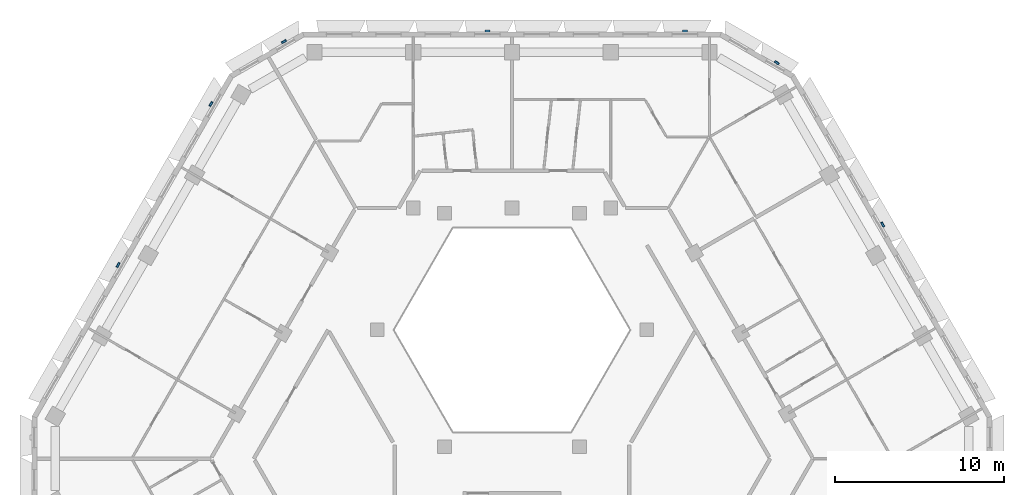
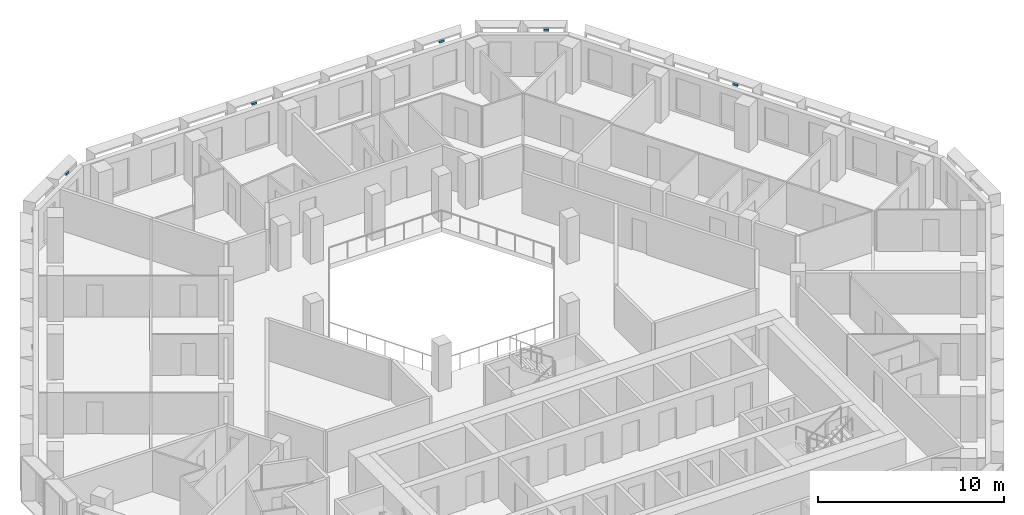
# One storey, part 12 of 18: 7 discrete accessories.
"""IFC4 building model written with IfcOpenShell, lengths in metres."""

from ifc_helpers import new_model, si_unit, direction, frame, origin, place, context, subcontext, project, spatial, polyline, outline, extrude, source, transform, mapped, material, type_object, type_shapes, element, save


model = new_model("IFC4")

# Units and contexts
model_context = context("Model", 3, precision=1e-05, world=origin(), true_north=direction((0.0, 1.0)))
body_context = subcontext(model_context, "Body", "Model", "MODEL_VIEW")
ifc_project = project(units=[si_unit("LENGTHUNIT", "METRE"), si_unit("AREAUNIT", "SQUARE_METRE"), si_unit("VOLUMEUNIT", "CUBIC_METRE"), si_unit("PLANEANGLEUNIT", "RADIAN"), si_unit("MASSUNIT", "GRAM", prefix="KILO")], contexts=[model_context])

# Site, building, storey
site_placement = place(None, origin())
site = spatial("IfcSite", under=ifc_project, at=site_placement, CompositionType="ELEMENT")
building_placement = place(site_placement, origin())
building = spatial("IfcBuilding", under=site, at=building_placement, Name="Beryl Residences", CompositionType="ELEMENT")
storey_placement = place(building_placement, frame((0.0, 0.0, 138.60009765625)))
storey = spatial("IfcBuildingStorey", under=building, at=storey_placement, Name="L42", CompositionType="ELEMENT", Elevation=138.60009765625)

# Discrete accessories
ifc_material = material(Name="Steel S355", Category="steel")
discrete_accessory_type = type_object("IfcDiscreteAccessoryType", Name="BR1 frame bracket 300 x 120 x 150 mm", PredefinedType="BRACKET", material=ifc_material)
shared_shape = source(origin(), body_context, "Body", "SweptSolid", [
    extrude(outline(polyline([(-0.14990234375, 0.0), (0.14990234375, 0.0), (0.14990234375, 0.1201171875), (-0.14990234375, 0.1201171875), (-0.14990234375, 0.0)])), origin(), (0.0, 0.0, 1.0), 0.14990234375),
])
type_shapes(discrete_accessory_type, [shared_shape])
for number, where, z_axis, x_axis, name in (
    (1, (10.2041015625, 25.60009765625, 2.75), (0.0, 0.0, 1.0), (1.0, 0.0, 0.0), "BR1 bracket L42 N 1"),
    (2, (-1.4580078125, 25.60009765625, 2.75), (0.0, 0.0, 1.0), (1.0, 0.0, 0.0), "BR1 bracket L42 N 5"),
    (3, (-13.43798828125, 24.97509765625, 2.75), (0.0, 0.0, 1.0), (0.866025403784, 0.5, 0.0), "BR1 bracket L42 N-NW 1"),
    (4, (-17.718017578125, 21.31298828125, 2.75), (0.0, 0.0, 1.0), (0.5, 0.866025403784, 0.0), "BR1 bracket L42 NW 1"),
    (5, (-23.202880859375, 11.81201171875, 2.75), (0.0, 0.0, 1.0), (0.5, 0.866025403784, 0.0), "BR1 bracket L42 NW 5"),
    (6, (21.8310546875, 14.18798828125, 2.75), (0.0, 0.0, 1.0), (0.5, -0.866025403784, 0.0), "BR1 bracket L42 NE 5"),
    (7, (15.60205078125, 23.72509765625, 2.75), (0.0, 0.0, 1.0), (0.866025403784, -0.5, 0.0), "BR1 bracket L42 NE-N 1"),
):
    element("IfcDiscreteAccessory", number, at=place(storey_placement, frame(where, z_axis=z_axis, x_axis=x_axis)), inside=storey, type_object=discrete_accessory_type, Name=name, PredefinedType="BRACKET", context=body_context, shape_type="MappedRepresentation", body=[
        mapped(shared_shape, transform((0.0, 0.0, 0.0))),
    ])

save(model, "model.ifc")
